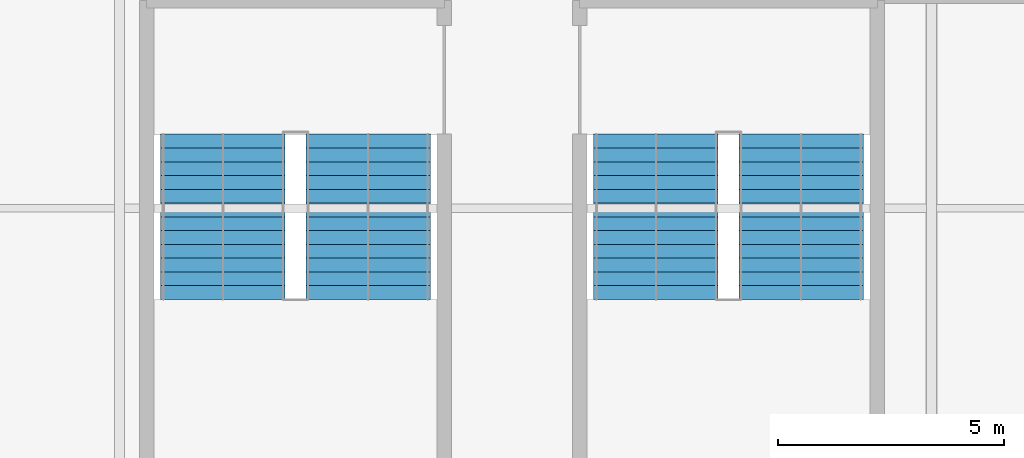
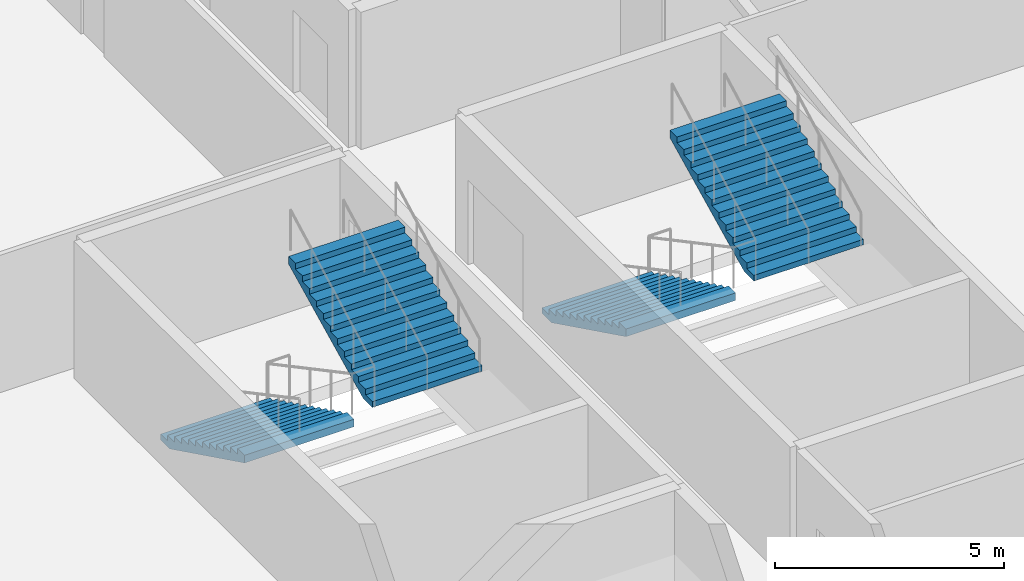
# One storey, part 30 of 35: 4 stair flights, 2 elements without a shape of their own.
"""IFC4 building model written with IfcOpenShell, lengths in metres."""

import ifcopenshell
import ifcopenshell.guid

model = None  # the IFC model being written
_history = None  # IfcOwnerHistory: only IFC2X3 demands one
_inside = {}  # id of a spatial element -> (the spatial element, [elements in it])
_under = {}  # id of a project, library or spatial element -> (it, [spatial elements below it])
_declared = {}  # id of a project -> (the project, [libraries it declares])
_typed = {}  # id of a type object -> (the type object, [elements of that type])
_made_of = {}  # id of a material, layer set ... -> (it, [elements and type objects made of it])


def new_model(schema):
    """Start an empty IFC model of exactly this schema.

    Asked for "IFC4X3", IfcOpenShell would pick the latest addendum, in which some entities
    have other attributes; the version numbers below select the first issue.
    IFC2X3 requires an IfcOwnerHistory on every rooted entity: one is made here for all.
    """
    global model, _history
    if schema == "IFC4X3":
        model = ifcopenshell.file(schema_version=(4, 3, 0, 0))
    else:
        model = ifcopenshell.file(schema=schema)
    _inside.clear()
    _under.clear()
    _declared.clear()
    _typed.clear()
    _made_of.clear()
    _history = None
    if model.schema == "IFC2X3":
        org = make("IfcOrganization", Name="unknown")
        user = make(
            "IfcPersonAndOrganization",
            ThePerson=make("IfcPerson", FamilyName="unknown"),
            TheOrganization=org,
        )
        app = make(
            "IfcApplication",
            ApplicationDeveloper=org,
            Version="unknown",
            ApplicationFullName="unknown",
            ApplicationIdentifier="unknown",
        )
        _history = make(
            "IfcOwnerHistory",
            OwningUser=user,
            OwningApplication=app,
            ChangeAction="ADDED",
            CreationDate=0,
        )
    return model


def make(cls, **values):
    """One entity of the class cls with the attributes given. An attribute that is None is left unset."""
    return model.create_entity(
        cls, **{name: value for name, value in values.items() if value is not None}
    )


def rooted(cls, **values):
    """An entity with a GlobalId (a new one), such as an element, a storey or a relation."""
    return make(cls, GlobalId=ifcopenshell.guid.new(), OwnerHistory=_history, **values)


def si_unit(unit_type, name, prefix=None):
    """IfcSIUnit, for example si_unit("LENGTHUNIT", "METRE", prefix="MILLI")."""
    return make("IfcSIUnit", UnitType=unit_type, Prefix=prefix, Name=name)


def assignment(units):
    """IfcUnitAssignment: the units of a project."""
    return None if units is None else make("IfcUnitAssignment", Units=units)


def point(xyz):
    """IfcCartesianPoint."""
    return None if xyz is None else make("IfcCartesianPoint", Coordinates=xyz)


def direction(xyz):
    """IfcDirection."""
    return None if xyz is None else make("IfcDirection", DirectionRatios=xyz)


def frame(location, z_axis=None, x_axis=None):
    """IfcAxis2Placement3D, a coordinate frame: its origin and axes. An axis left out is left unset."""
    return make(
        "IfcAxis2Placement3D",
        Location=point(location),
        Axis=direction(z_axis),
        RefDirection=direction(x_axis),
    )


def origin():
    """The frame at (0, 0, 0) with its axes left unset."""
    return frame((0.0, 0.0, 0.0))


def place(relative_to, where):
    """IfcLocalPlacement: puts the frame where relative to a parent placement (None: the world)."""
    return make(
        "IfcLocalPlacement", PlacementRelTo=relative_to, RelativePlacement=where
    )


def context(
    kind, dimensions, precision=None, world=None, true_north=None, identifier=None
):
    """IfcGeometricRepresentationContext, for example the 3D "Model" context."""
    return make(
        "IfcGeometricRepresentationContext",
        ContextIdentifier=identifier,
        ContextType=kind,
        CoordinateSpaceDimension=dimensions,
        Precision=precision,
        WorldCoordinateSystem=world,
        TrueNorth=true_north,
    )


def subcontext(parent, identifier, kind, view, scale=None):
    """IfcGeometricRepresentationSubContext, for example "Body" below "Model"."""
    return make(
        "IfcGeometricRepresentationSubContext",
        ContextIdentifier=identifier,
        ContextType=kind,
        ParentContext=parent,
        TargetScale=scale,
        TargetView=view,
    )


def project(units=None, contexts=None):
    """IfcProject with its units and contexts."""
    return rooted(
        "IfcProject",
        Name="project",
        RepresentationContexts=contexts,
        UnitsInContext=assignment(units),
    )


def spatial(cls, under=None, at=None, **own):
    """A site, building, storey or space (cls), placed at a placement, below another one or the project."""
    s = rooted(cls, ObjectPlacement=at, **own)
    if under is not None:
        _under.setdefault(under.id(), (under, []))[1].append(s)
    return s


def point_list(points):
    """IfcCartesianPointList2D or 3D."""
    cls = (
        "IfcCartesianPointList2D" if len(points[0]) == 2 else "IfcCartesianPointList3D"
    )
    return make(cls, CoordList=points)


def polygons(points, faces, closed=None, point_numbers=None):
    """IfcPolygonalFaceSet: a face is its outer loop, then its inner loops; points numbered from 1."""
    made = []
    for loops in faces:
        if len(loops) == 1:
            made.append(make("IfcIndexedPolygonalFace", CoordIndex=loops[0]))
        else:
            made.append(
                make(
                    "IfcIndexedPolygonalFaceWithVoids",
                    CoordIndex=loops[0],
                    InnerCoordIndices=loops[1:],
                )
            )
    return make(
        "IfcPolygonalFaceSet",
        Coordinates=point_list(points),
        Closed=closed,
        Faces=made,
        PnIndex=point_numbers,
    )


def shape(context_of_items, identifier, shape_type, items):
    """IfcShapeRepresentation: the items that make up one representation, for example the "Body"."""
    return make(
        "IfcShapeRepresentation",
        ContextOfItems=context_of_items,
        RepresentationIdentifier=identifier,
        RepresentationType=shape_type,
        Items=items,
    )


def material(Name=None, Category=None):
    """IfcMaterial."""
    return make("IfcMaterial", Name=Name, Category=Category)


def made_of(thing, what):
    """Note that an element or type object is made of a material, layer set ...; save() writes the relation."""
    if what is not None:
        _made_of.setdefault(what.id(), (what, []))[1].append(thing)
    return thing


def type_object(cls, material=None, **own):
    """A type object (cls), such as IfcWallType, which elements share."""
    return made_of(rooted(cls, **own), material)


def element(
    cls,
    number,
    at=None,
    inside=None,
    cuts=None,
    type_object=None,
    material=None,
    context=None,
    identifier="Body",
    shape_type=None,
    held_by="IfcProductDefinitionShape",
    body=None,
    shapes=None,
    **own,
):
    """One element of the class cls, such as IfcWall. Its Tag is "e" and its number.

    at: its placement. inside: the storey or other place that contains it. cuts: it is an
    opening in that element (IfcRelVoidsElement). A single representation is given by context,
    identifier, shape_type and body (its items); several are given by shapes. held_by: the class
    of the entity that holds the representations. save() writes the other relations.
    """
    e = rooted(cls, Tag="e%d" % number, ObjectPlacement=at, **own)
    if body is not None:
        shapes = [shape(context, identifier, shape_type, body)]
    if shapes is not None:
        e.Representation = make(held_by, Representations=shapes)
    if inside is not None:
        _inside.setdefault(inside.id(), (inside, []))[1].append(e)
    if cuts is not None:
        rooted(
            "IfcRelVoidsElement", RelatingBuildingElement=cuts, RelatedOpeningElement=e
        )
    if type_object is not None:
        _typed.setdefault(type_object.id(), (type_object, []))[1].append(e)
    return made_of(e, material)


def aggregate(whole, parts):
    """IfcRelAggregates: a whole, such as a stair, and the parts it consists of."""
    return rooted("IfcRelAggregates", RelatingObject=whole, RelatedObjects=parts)


def save(model, path):
    """Write the relations noted so far, then the file.

    IfcRelAggregates (storeys below a building ...), IfcRelContainedInSpatialStructure (elements
    in a storey), IfcRelDefinesByType, IfcRelAssociatesMaterial and IfcRelDeclares: one each for
    every whole, place, type object, material and project.
    """
    for whole, parts in _under.values():
        aggregate(whole, parts)
    for where, things in _inside.values():
        rooted(
            "IfcRelContainedInSpatialStructure",
            RelatedElements=things,
            RelatingStructure=where,
        )
    for kind, things in _typed.values():
        rooted("IfcRelDefinesByType", RelatedObjects=things, RelatingType=kind)
    for what, things in _made_of.values():
        rooted("IfcRelAssociatesMaterial", RelatedObjects=things, RelatingMaterial=what)
    for by, libraries in _declared.values():
        rooted("IfcRelDeclares", RelatingContext=by, RelatedDefinitions=libraries)
    model.write(path)


model = new_model("IFC4")

# Units and contexts
model_context = context("Model", 3, precision=1e-05, world=origin(), true_north=direction((0.0, 1.0)))
body_context = subcontext(model_context, "Body", "Model", "MODEL_VIEW")
ifc_project = project(units=[si_unit("LENGTHUNIT", "METRE"), si_unit("AREAUNIT", "SQUARE_METRE"), si_unit("VOLUMEUNIT", "CUBIC_METRE"), si_unit("PLANEANGLEUNIT", "RADIAN"), si_unit("MASSUNIT", "GRAM", prefix="KILO")], contexts=[model_context])

# Site, building, storey
site_placement = place(None, origin())
site = spatial("IfcSite", under=ifc_project, at=site_placement, CompositionType="ELEMENT")
building_placement = place(site_placement, origin())
building = spatial("IfcBuilding", under=site, at=building_placement, Name="Kisiwana Market Hall", CompositionType="ELEMENT")
storey_placement = place(building_placement, frame((0.0, 0.0, 57.89990234375)))
storey = spatial("IfcBuildingStorey", under=building, at=storey_placement, Name="L13", CompositionType="ELEMENT", Elevation=57.89990234375)

# Stair, stair flights
ifc_material_1 = material(Name="Concrete C32/40", Category="concrete")
stair_type = type_object("IfcStairType", Name="ST-ESC-3900", PredefinedType="TWO_STRAIGHT_RUN_STAIR", material=ifc_material_1)
stair_1_placement = place(storey_placement, origin())
stair_1 = element("IfcStair", 1, at=stair_1_placement, inside=storey, type_object=stair_type, Name="Escape stair ST-E4-L13", PredefinedType="TWO_STRAIGHT_RUN_STAIR")
ifc_material_2 = material(Name="Concrete C32/40", Category="concrete")
stair_flight_type = type_object("IfcStairFlightType", Name="SF-ESC-3900", PredefinedType="STRAIGHT", material=ifc_material_2)
stair_flight_1_placement = place(storey_placement, frame((182.889892578125, 77.639892578125, 0.0), z_axis=(0.0, 0.0, 1.0), x_axis=(0.0, -1.0, 0.0)))
stair_flight_1 = element("IfcStairFlight", 2, at=stair_flight_1_placement, type_object=stair_flight_type, Name="ST-E4-L13 flight 1", NumberOfRisers=13, NumberOfTreads=12, PredefinedType="STRAIGHT", RiserHeight=0.15, TreadLength=0.305, context=body_context, shape_type="Tessellation", body=[
    polygons([(0.0, -1.380127, 0.0), (0.0, -0.690125, 0.0), (0.0, -0.000122, 0.0), (0.0, 0.68988, 0.0), (0.0, 1.379883, 0.0), (0.0, -1.380127, 0.149902), (0.0, -0.690125, 0.149902), (0.0, -0.000122, 0.149902), (0.0, 0.68988, 0.149902), (0.0, 1.379883, 0.149902), (0.304932, -1.380127, 0.149902), (0.304932, -0.690125, 0.149902), (0.304932, -0.000122, 0.149902), (0.304932, 0.68988, 0.149902), (0.304932, 1.379883, 0.149902), (0.304932, -1.380127, 0.300049), (0.304932, -0.690125, 0.300049), (0.304932, -0.000122, 0.300049), (0.304932, 0.68988, 0.300049), (0.304932, 1.379883, 0.300049), (0.610107, -1.380127, 0.300049), (0.610107, -0.690125, 0.300049), (0.610107, -0.000122, 0.300049), (0.610107, 0.68988, 0.300049), (0.610107, 1.379883, 0.300049), (0.610107, -1.380127, 0.449951), (0.610107, -0.690125, 0.449951), (0.610107, -0.000122, 0.449951), (0.610107, 0.68988, 0.449951), (0.610107, 1.379883, 0.449951), (0.915039, -1.380127, 0.449951), (0.915039, -0.690125, 0.449951), (0.915039, -0.000122, 0.449951), (0.915039, 0.68988, 0.449951), (0.915039, 1.379883, 0.449951), (0.915039, -1.380127, 0.600098), (0.915039, -0.690125, 0.600098), (0.915039, -0.000122, 0.600098), (0.915039, 0.68988, 0.600098), (0.915039, 1.379883, 0.600098), (1.219971, -1.380127, 0.600098), (1.219971, -0.690125, 0.600098), (1.219971, -0.000122, 0.600098), (1.219971, 0.68988, 0.600098), (1.219971, 1.379883, 0.600098), (1.219971, -1.380127, 0.75), (1.219971, -0.690125, 0.75), (1.219971, -0.000122, 0.75), (1.219971, 0.68988, 0.75), (1.219971, 1.379883, 0.75), (1.524902, -1.380127, 0.75), (1.524902, -0.690125, 0.75), (1.524902, -0.000122, 0.75), (1.524902, 0.68988, 0.75), (1.524902, 1.379883, 0.75), (1.524902, -1.380127, 0.899902), (1.524902, -0.690125, 0.899902), (1.524902, -0.000122, 0.899902), (1.524902, 0.68988, 0.899902), (1.524902, 1.379883, 0.899902), (1.830078, -1.380127, 0.899902), (1.830078, -0.690125, 0.899902), (1.830078, -0.000122, 0.899902), (1.830078, 0.68988, 0.899902), (1.830078, 1.379883, 0.899902), (1.830078, -1.380127, 1.050049), (1.830078, -0.690125, 1.050049), (1.830078, -0.000122, 1.050049), (1.830078, 0.68988, 1.050049), (1.830078, 1.379883, 1.050049), (2.13501, -1.380127, 1.050049), (2.13501, -0.690125, 1.050049), (2.13501, -0.000122, 1.050049), (2.13501, 0.68988, 1.050049), (2.13501, 1.379883, 1.050049), (2.13501, -1.380127, 1.199951), (2.13501, -0.690125, 1.199951), (2.13501, -0.000122, 1.199951), (2.13501, 0.68988, 1.199951), (2.13501, 1.379883, 1.199951), (2.439941, -1.380127, 1.199951), (2.439941, -0.690125, 1.199951), (2.439941, -0.000122, 1.199951), (2.439941, 0.68988, 1.199951), (2.439941, 1.379883, 1.199951), (2.439941, -1.380127, 1.350098), (2.439941, -0.690125, 1.350098), (2.439941, -0.000122, 1.350098), (2.439941, 0.68988, 1.350098), (2.439941, 1.379883, 1.350098), (2.745117, -1.380127, 1.350098), (2.745117, -0.690125, 1.350098), (2.745117, -0.000122, 1.350098), (2.745117, 0.68988, 1.350098), (2.745117, 1.379883, 1.350098), (2.745117, -1.380127, 1.5), (2.745117, -0.690125, 1.5), (2.745117, -0.000122, 1.5), (2.745117, 0.68988, 1.5), (2.745117, 1.379883, 1.5), (3.050049, -1.380127, 1.5), (3.050049, -0.690125, 1.5), (3.050049, -0.000122, 1.5), (3.050049, 0.68988, 1.5), (3.050049, 1.379883, 1.5), (3.050049, -1.380127, 1.649902), (3.050049, -0.690125, 1.649902), (3.050049, -0.000122, 1.649902), (3.050049, 0.68988, 1.649902), (3.050049, 1.379883, 1.649902), (3.35498, -1.380127, 1.649902), (3.35498, -0.690125, 1.649902), (3.35498, -0.000122, 1.649902), (3.35498, 0.68988, 1.649902), (3.35498, 1.379883, 1.649902), (3.35498, -1.380127, 1.800049), (3.35498, -0.690125, 1.800049), (3.35498, -0.000122, 1.800049), (3.35498, 0.68988, 1.800049), (3.35498, 1.379883, 1.800049), (3.659912, -1.380127, 1.800049), (3.659912, -0.690125, 1.800049), (3.659912, -0.000122, 1.800049), (3.659912, 0.68988, 1.800049), (3.659912, 1.379883, 1.800049), (3.659912, -1.380127, 1.599365), (3.659912, -0.690125, 1.599365), (3.659912, -0.000122, 1.599365), (3.659912, 0.68988, 1.599365), (3.659912, 1.379883, 1.599365), (0.407715, -1.380127, 0.0), (0.407715, -0.690125, 0.0), (0.407715, -0.000122, 0.0), (0.407715, 0.68988, 0.0), (0.407715, 1.379883, 0.0)], [[[1, 6, 7, 2]], [[2, 7, 8, 3]], [[3, 8, 9, 4]], [[4, 9, 10, 5]], [[6, 11, 12, 7]], [[7, 12, 13, 8]], [[8, 13, 14, 9]], [[9, 14, 15, 10]], [[11, 16, 17, 12]], [[12, 17, 18, 13]], [[13, 18, 19, 14]], [[14, 19, 20, 15]], [[16, 21, 22, 17]], [[17, 22, 23, 18]], [[18, 23, 24, 19]], [[19, 24, 25, 20]], [[21, 26, 27, 22]], [[22, 27, 28, 23]], [[23, 28, 29, 24]], [[24, 29, 30, 25]], [[26, 31, 32, 27]], [[27, 32, 33, 28]], [[28, 33, 34, 29]], [[29, 34, 35, 30]], [[31, 36, 37, 32]], [[32, 37, 38, 33]], [[33, 38, 39, 34]], [[34, 39, 40, 35]], [[36, 41, 42, 37]], [[37, 42, 43, 38]], [[38, 43, 44, 39]], [[39, 44, 45, 40]], [[41, 46, 47, 42]], [[42, 47, 48, 43]], [[43, 48, 49, 44]], [[44, 49, 50, 45]], [[46, 51, 52, 47]], [[47, 52, 53, 48]], [[48, 53, 54, 49]], [[49, 54, 55, 50]], [[51, 56, 57, 52]], [[52, 57, 58, 53]], [[53, 58, 59, 54]], [[54, 59, 60, 55]], [[56, 61, 62, 57]], [[57, 62, 63, 58]], [[58, 63, 64, 59]], [[59, 64, 65, 60]], [[61, 66, 67, 62]], [[62, 67, 68, 63]], [[63, 68, 69, 64]], [[64, 69, 70, 65]], [[66, 71, 72, 67]], [[67, 72, 73, 68]], [[68, 73, 74, 69]], [[69, 74, 75, 70]], [[71, 76, 77, 72]], [[72, 77, 78, 73]], [[73, 78, 79, 74]], [[74, 79, 80, 75]], [[76, 81, 82, 77]], [[77, 82, 83, 78]], [[78, 83, 84, 79]], [[79, 84, 85, 80]], [[81, 86, 87, 82]], [[82, 87, 88, 83]], [[83, 88, 89, 84]], [[84, 89, 90, 85]], [[86, 91, 92, 87]], [[87, 92, 93, 88]], [[88, 93, 94, 89]], [[89, 94, 95, 90]], [[91, 96, 97, 92]], [[92, 97, 98, 93]], [[93, 98, 99, 94]], [[94, 99, 100, 95]], [[96, 101, 102, 97]], [[97, 102, 103, 98]], [[98, 103, 104, 99]], [[99, 104, 105, 100]], [[101, 106, 107, 102]], [[102, 107, 108, 103]], [[103, 108, 109, 104]], [[104, 109, 110, 105]], [[106, 111, 112, 107]], [[107, 112, 113, 108]], [[108, 113, 114, 109]], [[109, 114, 115, 110]], [[111, 116, 117, 112]], [[112, 117, 118, 113]], [[113, 118, 119, 114]], [[114, 119, 120, 115]], [[116, 121, 122, 117]], [[117, 122, 123, 118]], [[118, 123, 124, 119]], [[119, 124, 125, 120]], [[121, 126, 127, 122]], [[122, 127, 128, 123]], [[123, 128, 129, 124]], [[124, 129, 130, 125]], [[126, 131, 132, 127]], [[127, 132, 133, 128]], [[128, 133, 134, 129]], [[129, 134, 135, 130]], [[131, 1, 2, 132]], [[132, 2, 3, 133]], [[133, 3, 4, 134]], [[134, 4, 5, 135]], [[131, 126, 121, 116, 111, 106, 101, 96, 91, 86, 81, 76, 71, 66, 61, 56, 51, 46, 41, 36, 31, 26, 21, 16, 11, 6, 1]], [[5, 10, 15, 20, 25, 30, 35, 40, 45, 50, 55, 60, 65, 70, 75, 80, 85, 90, 95, 100, 105, 110, 115, 120, 125, 130, 135]]], closed=True),
])
stair_flight_2_placement = place(storey_placement, frame((186.110107421875, 73.97998046875, 1.9501953125), z_axis=(0.0, 0.0, 1.0), x_axis=(0.0, 1.0, 0.0)))
stair_flight_2 = element("IfcStairFlight", 3, at=stair_flight_2_placement, type_object=stair_flight_type, Name="ST-E4-L13 flight 2", NumberOfRisers=13, NumberOfTreads=12, PredefinedType="STRAIGHT", RiserHeight=0.15, TreadLength=0.305, context=body_context, shape_type="Tessellation", body=[
    polygons([(0.0, -1.380127, 0.0), (0.0, -0.690125, 0.0), (0.0, -0.000122, 0.0), (0.0, 0.68988, 0.0), (0.0, 1.379883, 0.0), (0.0, -1.380127, 0.149902), (0.0, -0.690125, 0.149902), (0.0, -0.000122, 0.149902), (0.0, 0.68988, 0.149902), (0.0, 1.379883, 0.149902), (0.304932, -1.380127, 0.149902), (0.304932, -0.690125, 0.149902), (0.304932, -0.000122, 0.149902), (0.304932, 0.68988, 0.149902), (0.304932, 1.379883, 0.149902), (0.304932, -1.380127, 0.300049), (0.304932, -0.690125, 0.300049), (0.304932, -0.000122, 0.300049), (0.304932, 0.68988, 0.300049), (0.304932, 1.379883, 0.300049), (0.610107, -1.380127, 0.300049), (0.610107, -0.690125, 0.300049), (0.610107, -0.000122, 0.300049), (0.610107, 0.68988, 0.300049), (0.610107, 1.379883, 0.300049), (0.610107, -1.380127, 0.449951), (0.610107, -0.690125, 0.449951), (0.610107, -0.000122, 0.449951), (0.610107, 0.68988, 0.449951), (0.610107, 1.379883, 0.449951), (0.915039, -1.380127, 0.449951), (0.915039, -0.690125, 0.449951), (0.915039, -0.000122, 0.449951), (0.915039, 0.68988, 0.449951), (0.915039, 1.379883, 0.449951), (0.915039, -1.380127, 0.600098), (0.915039, -0.690125, 0.600098), (0.915039, -0.000122, 0.600098), (0.915039, 0.68988, 0.600098), (0.915039, 1.379883, 0.600098), (1.219971, -1.380127, 0.600098), (1.219971, -0.690125, 0.600098), (1.219971, -0.000122, 0.600098), (1.219971, 0.68988, 0.600098), (1.219971, 1.379883, 0.600098), (1.219971, -1.380127, 0.75), (1.219971, -0.690125, 0.75), (1.219971, -0.000122, 0.75), (1.219971, 0.68988, 0.75), (1.219971, 1.379883, 0.75), (1.524902, -1.380127, 0.75), (1.524902, -0.690125, 0.75), (1.524902, -0.000122, 0.75), (1.524902, 0.68988, 0.75), (1.524902, 1.379883, 0.75), (1.524902, -1.380127, 0.899902), (1.524902, -0.690125, 0.899902), (1.524902, -0.000122, 0.899902), (1.524902, 0.68988, 0.899902), (1.524902, 1.379883, 0.899902), (1.830078, -1.380127, 0.899902), (1.830078, -0.690125, 0.899902), (1.830078, -0.000122, 0.899902), (1.830078, 0.68988, 0.899902), (1.830078, 1.379883, 0.899902), (1.830078, -1.380127, 1.050049), (1.830078, -0.690125, 1.050049), (1.830078, -0.000122, 1.050049), (1.830078, 0.68988, 1.050049), (1.830078, 1.379883, 1.050049), (2.13501, -1.380127, 1.050049), (2.13501, -0.690125, 1.050049), (2.13501, -0.000122, 1.050049), (2.13501, 0.68988, 1.050049), (2.13501, 1.379883, 1.050049), (2.13501, -1.380127, 1.199951), (2.13501, -0.690125, 1.199951), (2.13501, -0.000122, 1.199951), (2.13501, 0.68988, 1.199951), (2.13501, 1.379883, 1.199951), (2.439941, -1.380127, 1.199951), (2.439941, -0.690125, 1.199951), (2.439941, -0.000122, 1.199951), (2.439941, 0.68988, 1.199951), (2.439941, 1.379883, 1.199951), (2.439941, -1.380127, 1.350098), (2.439941, -0.690125, 1.350098), (2.439941, -0.000122, 1.350098), (2.439941, 0.68988, 1.350098), (2.439941, 1.379883, 1.350098), (2.745117, -1.380127, 1.350098), (2.745117, -0.690125, 1.350098), (2.745117, -0.000122, 1.350098), (2.745117, 0.68988, 1.350098), (2.745117, 1.379883, 1.350098), (2.745117, -1.380127, 1.5), (2.745117, -0.690125, 1.5), (2.745117, -0.000122, 1.5), (2.745117, 0.68988, 1.5), (2.745117, 1.379883, 1.5), (3.050049, -1.380127, 1.5), (3.050049, -0.690125, 1.5), (3.050049, -0.000122, 1.5), (3.050049, 0.68988, 1.5), (3.050049, 1.379883, 1.5), (3.050049, -1.380127, 1.649902), (3.050049, -0.690125, 1.649902), (3.050049, -0.000122, 1.649902), (3.050049, 0.68988, 1.649902), (3.050049, 1.379883, 1.649902), (3.35498, -1.380127, 1.649902), (3.35498, -0.690125, 1.649902), (3.35498, -0.000122, 1.649902), (3.35498, 0.68988, 1.649902), (3.35498, 1.379883, 1.649902), (3.35498, -1.380127, 1.800049), (3.35498, -0.690125, 1.800049), (3.35498, -0.000122, 1.800049), (3.35498, 0.68988, 1.800049), (3.35498, 1.379883, 1.800049), (3.659912, -1.380127, 1.800049), (3.659912, -0.690125, 1.800049), (3.659912, -0.000122, 1.800049), (3.659912, 0.68988, 1.800049), (3.659912, 1.379883, 1.800049), (3.659912, -1.380127, 1.599365), (3.659912, -0.690125, 1.599365), (3.659912, -0.000122, 1.599365), (3.659912, 0.68988, 1.599365), (3.659912, 1.379883, 1.599365), (0.407715, -1.380127, 0.0), (0.407715, -0.690125, 0.0), (0.407715, -0.000122, 0.0), (0.407715, 0.68988, 0.0), (0.407715, 1.379883, 0.0)], [[[1, 6, 7, 2]], [[2, 7, 8, 3]], [[3, 8, 9, 4]], [[4, 9, 10, 5]], [[6, 11, 12, 7]], [[7, 12, 13, 8]], [[8, 13, 14, 9]], [[9, 14, 15, 10]], [[11, 16, 17, 12]], [[12, 17, 18, 13]], [[13, 18, 19, 14]], [[14, 19, 20, 15]], [[16, 21, 22, 17]], [[17, 22, 23, 18]], [[18, 23, 24, 19]], [[19, 24, 25, 20]], [[21, 26, 27, 22]], [[22, 27, 28, 23]], [[23, 28, 29, 24]], [[24, 29, 30, 25]], [[26, 31, 32, 27]], [[27, 32, 33, 28]], [[28, 33, 34, 29]], [[29, 34, 35, 30]], [[31, 36, 37, 32]], [[32, 37, 38, 33]], [[33, 38, 39, 34]], [[34, 39, 40, 35]], [[36, 41, 42, 37]], [[37, 42, 43, 38]], [[38, 43, 44, 39]], [[39, 44, 45, 40]], [[41, 46, 47, 42]], [[42, 47, 48, 43]], [[43, 48, 49, 44]], [[44, 49, 50, 45]], [[46, 51, 52, 47]], [[47, 52, 53, 48]], [[48, 53, 54, 49]], [[49, 54, 55, 50]], [[51, 56, 57, 52]], [[52, 57, 58, 53]], [[53, 58, 59, 54]], [[54, 59, 60, 55]], [[56, 61, 62, 57]], [[57, 62, 63, 58]], [[58, 63, 64, 59]], [[59, 64, 65, 60]], [[61, 66, 67, 62]], [[62, 67, 68, 63]], [[63, 68, 69, 64]], [[64, 69, 70, 65]], [[66, 71, 72, 67]], [[67, 72, 73, 68]], [[68, 73, 74, 69]], [[69, 74, 75, 70]], [[71, 76, 77, 72]], [[72, 77, 78, 73]], [[73, 78, 79, 74]], [[74, 79, 80, 75]], [[76, 81, 82, 77]], [[77, 82, 83, 78]], [[78, 83, 84, 79]], [[79, 84, 85, 80]], [[81, 86, 87, 82]], [[82, 87, 88, 83]], [[83, 88, 89, 84]], [[84, 89, 90, 85]], [[86, 91, 92, 87]], [[87, 92, 93, 88]], [[88, 93, 94, 89]], [[89, 94, 95, 90]], [[91, 96, 97, 92]], [[92, 97, 98, 93]], [[93, 98, 99, 94]], [[94, 99, 100, 95]], [[96, 101, 102, 97]], [[97, 102, 103, 98]], [[98, 103, 104, 99]], [[99, 104, 105, 100]], [[101, 106, 107, 102]], [[102, 107, 108, 103]], [[103, 108, 109, 104]], [[104, 109, 110, 105]], [[106, 111, 112, 107]], [[107, 112, 113, 108]], [[108, 113, 114, 109]], [[109, 114, 115, 110]], [[111, 116, 117, 112]], [[112, 117, 118, 113]], [[113, 118, 119, 114]], [[114, 119, 120, 115]], [[116, 121, 122, 117]], [[117, 122, 123, 118]], [[118, 123, 124, 119]], [[119, 124, 125, 120]], [[121, 126, 127, 122]], [[122, 127, 128, 123]], [[123, 128, 129, 124]], [[124, 129, 130, 125]], [[126, 131, 132, 127]], [[127, 132, 133, 128]], [[128, 133, 134, 129]], [[129, 134, 135, 130]], [[131, 1, 2, 132]], [[132, 2, 3, 133]], [[133, 3, 4, 134]], [[134, 4, 5, 135]], [[131, 126, 121, 116, 111, 106, 101, 96, 91, 86, 81, 76, 71, 66, 61, 56, 51, 46, 41, 36, 31, 26, 21, 16, 11, 6, 1]], [[5, 10, 15, 20, 25, 30, 35, 40, 45, 50, 55, 60, 65, 70, 75, 80, 85, 90, 95, 100, 105, 110, 115, 120, 125, 130, 135]]], closed=True),
])
aggregate(stair_1, [stair_flight_1, stair_flight_2])

stair_2_placement = place(storey_placement, origin())
stair_2 = element("IfcStair", 4, at=stair_2_placement, inside=storey, type_object=stair_type, Name="Escape stair ST-E8-L13", PredefinedType="TWO_STRAIGHT_RUN_STAIR")
stair_flight_3_placement = place(storey_placement, frame((173.2900390625, 77.639892578125, 0.0), z_axis=(0.0, 0.0, 1.0), x_axis=(0.0, -1.0, 0.0)))
stair_flight_3 = element("IfcStairFlight", 5, at=stair_flight_3_placement, type_object=stair_flight_type, Name="ST-E8-L13 flight 1", NumberOfRisers=13, NumberOfTreads=12, PredefinedType="STRAIGHT", RiserHeight=0.15, TreadLength=0.305, context=body_context, shape_type="Tessellation", body=[
    polygons([(0.0, -1.380127, 0.0), (0.0, -0.690125, 0.0), (0.0, -0.000122, 0.0), (0.0, 0.68988, 0.0), (0.0, 1.379883, 0.0), (0.0, -1.380127, 0.149902), (0.0, -0.690125, 0.149902), (0.0, -0.000122, 0.149902), (0.0, 0.68988, 0.149902), (0.0, 1.379883, 0.149902), (0.304932, -1.380127, 0.149902), (0.304932, -0.690125, 0.149902), (0.304932, -0.000122, 0.149902), (0.304932, 0.68988, 0.149902), (0.304932, 1.379883, 0.149902), (0.304932, -1.380127, 0.300049), (0.304932, -0.690125, 0.300049), (0.304932, -0.000122, 0.300049), (0.304932, 0.68988, 0.300049), (0.304932, 1.379883, 0.300049), (0.610107, -1.380127, 0.300049), (0.610107, -0.690125, 0.300049), (0.610107, -0.000122, 0.300049), (0.610107, 0.68988, 0.300049), (0.610107, 1.379883, 0.300049), (0.610107, -1.380127, 0.449951), (0.610107, -0.690125, 0.449951), (0.610107, -0.000122, 0.449951), (0.610107, 0.68988, 0.449951), (0.610107, 1.379883, 0.449951), (0.915039, -1.380127, 0.449951), (0.915039, -0.690125, 0.449951), (0.915039, -0.000122, 0.449951), (0.915039, 0.68988, 0.449951), (0.915039, 1.379883, 0.449951), (0.915039, -1.380127, 0.600098), (0.915039, -0.690125, 0.600098), (0.915039, -0.000122, 0.600098), (0.915039, 0.68988, 0.600098), (0.915039, 1.379883, 0.600098), (1.219971, -1.380127, 0.600098), (1.219971, -0.690125, 0.600098), (1.219971, -0.000122, 0.600098), (1.219971, 0.68988, 0.600098), (1.219971, 1.379883, 0.600098), (1.219971, -1.380127, 0.75), (1.219971, -0.690125, 0.75), (1.219971, -0.000122, 0.75), (1.219971, 0.68988, 0.75), (1.219971, 1.379883, 0.75), (1.524902, -1.380127, 0.75), (1.524902, -0.690125, 0.75), (1.524902, -0.000122, 0.75), (1.524902, 0.68988, 0.75), (1.524902, 1.379883, 0.75), (1.524902, -1.380127, 0.899902), (1.524902, -0.690125, 0.899902), (1.524902, -0.000122, 0.899902), (1.524902, 0.68988, 0.899902), (1.524902, 1.379883, 0.899902), (1.830078, -1.380127, 0.899902), (1.830078, -0.690125, 0.899902), (1.830078, -0.000122, 0.899902), (1.830078, 0.68988, 0.899902), (1.830078, 1.379883, 0.899902), (1.830078, -1.380127, 1.050049), (1.830078, -0.690125, 1.050049), (1.830078, -0.000122, 1.050049), (1.830078, 0.68988, 1.050049), (1.830078, 1.379883, 1.050049), (2.13501, -1.380127, 1.050049), (2.13501, -0.690125, 1.050049), (2.13501, -0.000122, 1.050049), (2.13501, 0.68988, 1.050049), (2.13501, 1.379883, 1.050049), (2.13501, -1.380127, 1.199951), (2.13501, -0.690125, 1.199951), (2.13501, -0.000122, 1.199951), (2.13501, 0.68988, 1.199951), (2.13501, 1.379883, 1.199951), (2.439941, -1.380127, 1.199951), (2.439941, -0.690125, 1.199951), (2.439941, -0.000122, 1.199951), (2.439941, 0.68988, 1.199951), (2.439941, 1.379883, 1.199951), (2.439941, -1.380127, 1.350098), (2.439941, -0.690125, 1.350098), (2.439941, -0.000122, 1.350098), (2.439941, 0.68988, 1.350098), (2.439941, 1.379883, 1.350098), (2.745117, -1.380127, 1.350098), (2.745117, -0.690125, 1.350098), (2.745117, -0.000122, 1.350098), (2.745117, 0.68988, 1.350098), (2.745117, 1.379883, 1.350098), (2.745117, -1.380127, 1.5), (2.745117, -0.690125, 1.5), (2.745117, -0.000122, 1.5), (2.745117, 0.68988, 1.5), (2.745117, 1.379883, 1.5), (3.050049, -1.380127, 1.5), (3.050049, -0.690125, 1.5), (3.050049, -0.000122, 1.5), (3.050049, 0.68988, 1.5), (3.050049, 1.379883, 1.5), (3.050049, -1.380127, 1.649902), (3.050049, -0.690125, 1.649902), (3.050049, -0.000122, 1.649902), (3.050049, 0.68988, 1.649902), (3.050049, 1.379883, 1.649902), (3.35498, -1.380127, 1.649902), (3.35498, -0.690125, 1.649902), (3.35498, -0.000122, 1.649902), (3.35498, 0.68988, 1.649902), (3.35498, 1.379883, 1.649902), (3.35498, -1.380127, 1.800049), (3.35498, -0.690125, 1.800049), (3.35498, -0.000122, 1.800049), (3.35498, 0.68988, 1.800049), (3.35498, 1.379883, 1.800049), (3.659912, -1.380127, 1.800049), (3.659912, -0.690125, 1.800049), (3.659912, -0.000122, 1.800049), (3.659912, 0.68988, 1.800049), (3.659912, 1.379883, 1.800049), (3.659912, -1.380127, 1.599365), (3.659912, -0.690125, 1.599365), (3.659912, -0.000122, 1.599365), (3.659912, 0.68988, 1.599365), (3.659912, 1.379883, 1.599365), (0.407715, -1.380127, 0.0), (0.407715, -0.690125, 0.0), (0.407715, -0.000122, 0.0), (0.407715, 0.68988, 0.0), (0.407715, 1.379883, 0.0)], [[[1, 6, 7, 2]], [[2, 7, 8, 3]], [[3, 8, 9, 4]], [[4, 9, 10, 5]], [[6, 11, 12, 7]], [[7, 12, 13, 8]], [[8, 13, 14, 9]], [[9, 14, 15, 10]], [[11, 16, 17, 12]], [[12, 17, 18, 13]], [[13, 18, 19, 14]], [[14, 19, 20, 15]], [[16, 21, 22, 17]], [[17, 22, 23, 18]], [[18, 23, 24, 19]], [[19, 24, 25, 20]], [[21, 26, 27, 22]], [[22, 27, 28, 23]], [[23, 28, 29, 24]], [[24, 29, 30, 25]], [[26, 31, 32, 27]], [[27, 32, 33, 28]], [[28, 33, 34, 29]], [[29, 34, 35, 30]], [[31, 36, 37, 32]], [[32, 37, 38, 33]], [[33, 38, 39, 34]], [[34, 39, 40, 35]], [[36, 41, 42, 37]], [[37, 42, 43, 38]], [[38, 43, 44, 39]], [[39, 44, 45, 40]], [[41, 46, 47, 42]], [[42, 47, 48, 43]], [[43, 48, 49, 44]], [[44, 49, 50, 45]], [[46, 51, 52, 47]], [[47, 52, 53, 48]], [[48, 53, 54, 49]], [[49, 54, 55, 50]], [[51, 56, 57, 52]], [[52, 57, 58, 53]], [[53, 58, 59, 54]], [[54, 59, 60, 55]], [[56, 61, 62, 57]], [[57, 62, 63, 58]], [[58, 63, 64, 59]], [[59, 64, 65, 60]], [[61, 66, 67, 62]], [[62, 67, 68, 63]], [[63, 68, 69, 64]], [[64, 69, 70, 65]], [[66, 71, 72, 67]], [[67, 72, 73, 68]], [[68, 73, 74, 69]], [[69, 74, 75, 70]], [[71, 76, 77, 72]], [[72, 77, 78, 73]], [[73, 78, 79, 74]], [[74, 79, 80, 75]], [[76, 81, 82, 77]], [[77, 82, 83, 78]], [[78, 83, 84, 79]], [[79, 84, 85, 80]], [[81, 86, 87, 82]], [[82, 87, 88, 83]], [[83, 88, 89, 84]], [[84, 89, 90, 85]], [[86, 91, 92, 87]], [[87, 92, 93, 88]], [[88, 93, 94, 89]], [[89, 94, 95, 90]], [[91, 96, 97, 92]], [[92, 97, 98, 93]], [[93, 98, 99, 94]], [[94, 99, 100, 95]], [[96, 101, 102, 97]], [[97, 102, 103, 98]], [[98, 103, 104, 99]], [[99, 104, 105, 100]], [[101, 106, 107, 102]], [[102, 107, 108, 103]], [[103, 108, 109, 104]], [[104, 109, 110, 105]], [[106, 111, 112, 107]], [[107, 112, 113, 108]], [[108, 113, 114, 109]], [[109, 114, 115, 110]], [[111, 116, 117, 112]], [[112, 117, 118, 113]], [[113, 118, 119, 114]], [[114, 119, 120, 115]], [[116, 121, 122, 117]], [[117, 122, 123, 118]], [[118, 123, 124, 119]], [[119, 124, 125, 120]], [[121, 126, 127, 122]], [[122, 127, 128, 123]], [[123, 128, 129, 124]], [[124, 129, 130, 125]], [[126, 131, 132, 127]], [[127, 132, 133, 128]], [[128, 133, 134, 129]], [[129, 134, 135, 130]], [[131, 1, 2, 132]], [[132, 2, 3, 133]], [[133, 3, 4, 134]], [[134, 4, 5, 135]], [[131, 126, 121, 116, 111, 106, 101, 96, 91, 86, 81, 76, 71, 66, 61, 56, 51, 46, 41, 36, 31, 26, 21, 16, 11, 6, 1]], [[5, 10, 15, 20, 25, 30, 35, 40, 45, 50, 55, 60, 65, 70, 75, 80, 85, 90, 95, 100, 105, 110, 115, 120, 125, 130, 135]]], closed=True),
])
stair_flight_4_placement = place(storey_placement, frame((176.510009765625, 73.97998046875, 1.9501953125), z_axis=(0.0, 0.0, 1.0), x_axis=(0.0, 1.0, 0.0)))
stair_flight_4 = element("IfcStairFlight", 6, at=stair_flight_4_placement, type_object=stair_flight_type, Name="ST-E8-L13 flight 2", NumberOfRisers=13, NumberOfTreads=12, PredefinedType="STRAIGHT", RiserHeight=0.15, TreadLength=0.305, context=body_context, shape_type="Tessellation", body=[
    polygons([(0.0, -1.380127, 0.0), (0.0, -0.690125, 0.0), (0.0, -0.000122, 0.0), (0.0, 0.68988, 0.0), (0.0, 1.379883, 0.0), (0.0, -1.380127, 0.149902), (0.0, -0.690125, 0.149902), (0.0, -0.000122, 0.149902), (0.0, 0.68988, 0.149902), (0.0, 1.379883, 0.149902), (0.304932, -1.380127, 0.149902), (0.304932, -0.690125, 0.149902), (0.304932, -0.000122, 0.149902), (0.304932, 0.68988, 0.149902), (0.304932, 1.379883, 0.149902), (0.304932, -1.380127, 0.300049), (0.304932, -0.690125, 0.300049), (0.304932, -0.000122, 0.300049), (0.304932, 0.68988, 0.300049), (0.304932, 1.379883, 0.300049), (0.610107, -1.380127, 0.300049), (0.610107, -0.690125, 0.300049), (0.610107, -0.000122, 0.300049), (0.610107, 0.68988, 0.300049), (0.610107, 1.379883, 0.300049), (0.610107, -1.380127, 0.449951), (0.610107, -0.690125, 0.449951), (0.610107, -0.000122, 0.449951), (0.610107, 0.68988, 0.449951), (0.610107, 1.379883, 0.449951), (0.915039, -1.380127, 0.449951), (0.915039, -0.690125, 0.449951), (0.915039, -0.000122, 0.449951), (0.915039, 0.68988, 0.449951), (0.915039, 1.379883, 0.449951), (0.915039, -1.380127, 0.600098), (0.915039, -0.690125, 0.600098), (0.915039, -0.000122, 0.600098), (0.915039, 0.68988, 0.600098), (0.915039, 1.379883, 0.600098), (1.219971, -1.380127, 0.600098), (1.219971, -0.690125, 0.600098), (1.219971, -0.000122, 0.600098), (1.219971, 0.68988, 0.600098), (1.219971, 1.379883, 0.600098), (1.219971, -1.380127, 0.75), (1.219971, -0.690125, 0.75), (1.219971, -0.000122, 0.75), (1.219971, 0.68988, 0.75), (1.219971, 1.379883, 0.75), (1.524902, -1.380127, 0.75), (1.524902, -0.690125, 0.75), (1.524902, -0.000122, 0.75), (1.524902, 0.68988, 0.75), (1.524902, 1.379883, 0.75), (1.524902, -1.380127, 0.899902), (1.524902, -0.690125, 0.899902), (1.524902, -0.000122, 0.899902), (1.524902, 0.68988, 0.899902), (1.524902, 1.379883, 0.899902), (1.830078, -1.380127, 0.899902), (1.830078, -0.690125, 0.899902), (1.830078, -0.000122, 0.899902), (1.830078, 0.68988, 0.899902), (1.830078, 1.379883, 0.899902), (1.830078, -1.380127, 1.050049), (1.830078, -0.690125, 1.050049), (1.830078, -0.000122, 1.050049), (1.830078, 0.68988, 1.050049), (1.830078, 1.379883, 1.050049), (2.13501, -1.380127, 1.050049), (2.13501, -0.690125, 1.050049), (2.13501, -0.000122, 1.050049), (2.13501, 0.68988, 1.050049), (2.13501, 1.379883, 1.050049), (2.13501, -1.380127, 1.199951), (2.13501, -0.690125, 1.199951), (2.13501, -0.000122, 1.199951), (2.13501, 0.68988, 1.199951), (2.13501, 1.379883, 1.199951), (2.439941, -1.380127, 1.199951), (2.439941, -0.690125, 1.199951), (2.439941, -0.000122, 1.199951), (2.439941, 0.68988, 1.199951), (2.439941, 1.379883, 1.199951), (2.439941, -1.380127, 1.350098), (2.439941, -0.690125, 1.350098), (2.439941, -0.000122, 1.350098), (2.439941, 0.68988, 1.350098), (2.439941, 1.379883, 1.350098), (2.745117, -1.380127, 1.350098), (2.745117, -0.690125, 1.350098), (2.745117, -0.000122, 1.350098), (2.745117, 0.68988, 1.350098), (2.745117, 1.379883, 1.350098), (2.745117, -1.380127, 1.5), (2.745117, -0.690125, 1.5), (2.745117, -0.000122, 1.5), (2.745117, 0.68988, 1.5), (2.745117, 1.379883, 1.5), (3.050049, -1.380127, 1.5), (3.050049, -0.690125, 1.5), (3.050049, -0.000122, 1.5), (3.050049, 0.68988, 1.5), (3.050049, 1.379883, 1.5), (3.050049, -1.380127, 1.649902), (3.050049, -0.690125, 1.649902), (3.050049, -0.000122, 1.649902), (3.050049, 0.68988, 1.649902), (3.050049, 1.379883, 1.649902), (3.35498, -1.380127, 1.649902), (3.35498, -0.690125, 1.649902), (3.35498, -0.000122, 1.649902), (3.35498, 0.68988, 1.649902), (3.35498, 1.379883, 1.649902), (3.35498, -1.380127, 1.800049), (3.35498, -0.690125, 1.800049), (3.35498, -0.000122, 1.800049), (3.35498, 0.68988, 1.800049), (3.35498, 1.379883, 1.800049), (3.659912, -1.380127, 1.800049), (3.659912, -0.690125, 1.800049), (3.659912, -0.000122, 1.800049), (3.659912, 0.68988, 1.800049), (3.659912, 1.379883, 1.800049), (3.659912, -1.380127, 1.599365), (3.659912, -0.690125, 1.599365), (3.659912, -0.000122, 1.599365), (3.659912, 0.68988, 1.599365), (3.659912, 1.379883, 1.599365), (0.407715, -1.380127, 0.0), (0.407715, -0.690125, 0.0), (0.407715, -0.000122, 0.0), (0.407715, 0.68988, 0.0), (0.407715, 1.379883, 0.0)], [[[1, 6, 7, 2]], [[2, 7, 8, 3]], [[3, 8, 9, 4]], [[4, 9, 10, 5]], [[6, 11, 12, 7]], [[7, 12, 13, 8]], [[8, 13, 14, 9]], [[9, 14, 15, 10]], [[11, 16, 17, 12]], [[12, 17, 18, 13]], [[13, 18, 19, 14]], [[14, 19, 20, 15]], [[16, 21, 22, 17]], [[17, 22, 23, 18]], [[18, 23, 24, 19]], [[19, 24, 25, 20]], [[21, 26, 27, 22]], [[22, 27, 28, 23]], [[23, 28, 29, 24]], [[24, 29, 30, 25]], [[26, 31, 32, 27]], [[27, 32, 33, 28]], [[28, 33, 34, 29]], [[29, 34, 35, 30]], [[31, 36, 37, 32]], [[32, 37, 38, 33]], [[33, 38, 39, 34]], [[34, 39, 40, 35]], [[36, 41, 42, 37]], [[37, 42, 43, 38]], [[38, 43, 44, 39]], [[39, 44, 45, 40]], [[41, 46, 47, 42]], [[42, 47, 48, 43]], [[43, 48, 49, 44]], [[44, 49, 50, 45]], [[46, 51, 52, 47]], [[47, 52, 53, 48]], [[48, 53, 54, 49]], [[49, 54, 55, 50]], [[51, 56, 57, 52]], [[52, 57, 58, 53]], [[53, 58, 59, 54]], [[54, 59, 60, 55]], [[56, 61, 62, 57]], [[57, 62, 63, 58]], [[58, 63, 64, 59]], [[59, 64, 65, 60]], [[61, 66, 67, 62]], [[62, 67, 68, 63]], [[63, 68, 69, 64]], [[64, 69, 70, 65]], [[66, 71, 72, 67]], [[67, 72, 73, 68]], [[68, 73, 74, 69]], [[69, 74, 75, 70]], [[71, 76, 77, 72]], [[72, 77, 78, 73]], [[73, 78, 79, 74]], [[74, 79, 80, 75]], [[76, 81, 82, 77]], [[77, 82, 83, 78]], [[78, 83, 84, 79]], [[79, 84, 85, 80]], [[81, 86, 87, 82]], [[82, 87, 88, 83]], [[83, 88, 89, 84]], [[84, 89, 90, 85]], [[86, 91, 92, 87]], [[87, 92, 93, 88]], [[88, 93, 94, 89]], [[89, 94, 95, 90]], [[91, 96, 97, 92]], [[92, 97, 98, 93]], [[93, 98, 99, 94]], [[94, 99, 100, 95]], [[96, 101, 102, 97]], [[97, 102, 103, 98]], [[98, 103, 104, 99]], [[99, 104, 105, 100]], [[101, 106, 107, 102]], [[102, 107, 108, 103]], [[103, 108, 109, 104]], [[104, 109, 110, 105]], [[106, 111, 112, 107]], [[107, 112, 113, 108]], [[108, 113, 114, 109]], [[109, 114, 115, 110]], [[111, 116, 117, 112]], [[112, 117, 118, 113]], [[113, 118, 119, 114]], [[114, 119, 120, 115]], [[116, 121, 122, 117]], [[117, 122, 123, 118]], [[118, 123, 124, 119]], [[119, 124, 125, 120]], [[121, 126, 127, 122]], [[122, 127, 128, 123]], [[123, 128, 129, 124]], [[124, 129, 130, 125]], [[126, 131, 132, 127]], [[127, 132, 133, 128]], [[128, 133, 134, 129]], [[129, 134, 135, 130]], [[131, 1, 2, 132]], [[132, 2, 3, 133]], [[133, 3, 4, 134]], [[134, 4, 5, 135]], [[131, 126, 121, 116, 111, 106, 101, 96, 91, 86, 81, 76, 71, 66, 61, 56, 51, 46, 41, 36, 31, 26, 21, 16, 11, 6, 1]], [[5, 10, 15, 20, 25, 30, 35, 40, 45, 50, 55, 60, 65, 70, 75, 80, 85, 90, 95, 100, 105, 110, 115, 120, 125, 130, 135]]], closed=True),
])
aggregate(stair_2, [stair_flight_3, stair_flight_4])

save(model, "model.ifc")
